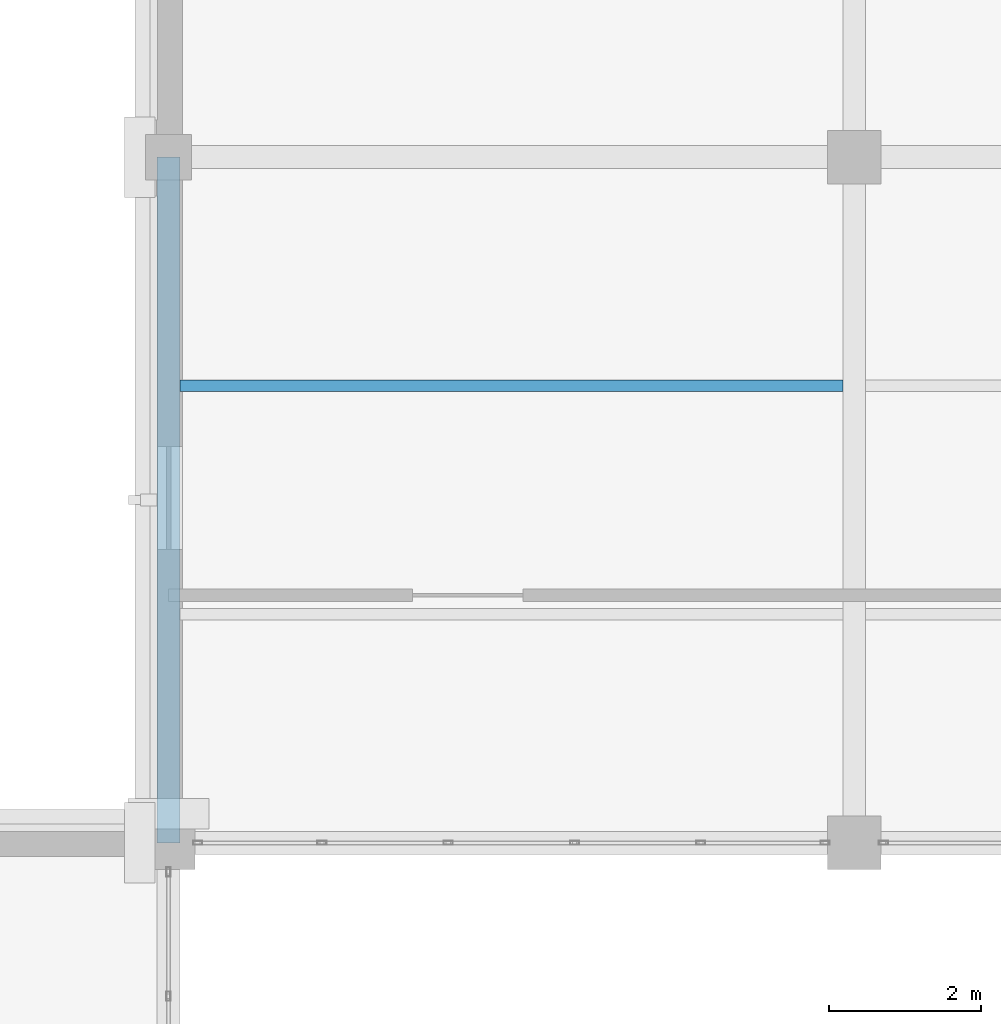
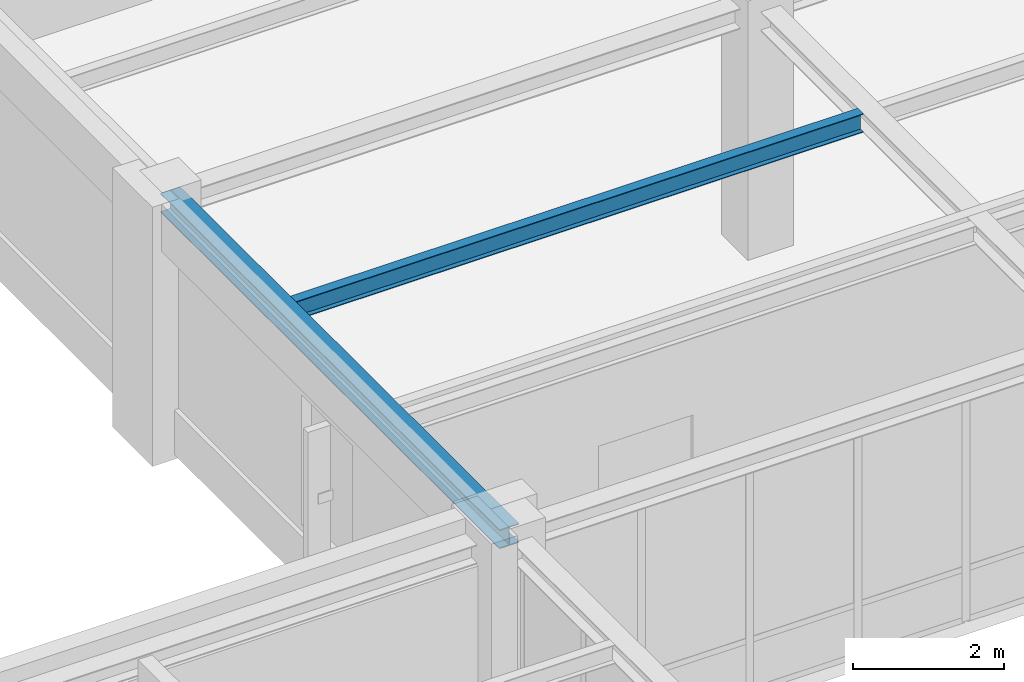
# One storey, part 67 of 108: 2 beams.
"""IFC4 building model written with IfcOpenShell, lengths in metres."""

from ifc_helpers import new_model, si_unit, direction, frame, origin, origin_2d, place, context, subcontext, project, spatial, i_section, extrude, material, material_profile, profile_set, type_object, element, save


model = new_model("IFC4")

# Units and contexts
model_context = context("Model", 3, precision=1e-05, world=origin(), true_north=direction((0.0, 1.0)))
body_context = subcontext(model_context, "Body", "Model", "MODEL_VIEW")
ifc_project = project(units=[si_unit("LENGTHUNIT", "METRE"), si_unit("AREAUNIT", "SQUARE_METRE"), si_unit("VOLUMEUNIT", "CUBIC_METRE"), si_unit("PLANEANGLEUNIT", "RADIAN"), si_unit("MASSUNIT", "GRAM", prefix="KILO")], contexts=[model_context])

# Site, building, storey
site_placement = place(None, origin())
site = spatial("IfcSite", under=ifc_project, at=site_placement, CompositionType="ELEMENT")
building_placement = place(site_placement, origin())
building = spatial("IfcBuilding", under=site, at=building_placement, Name="Lykobir Media Centre", CompositionType="ELEMENT")
storey_placement = place(building_placement, frame((0.0, 0.0, 15.0)))
storey = spatial("IfcBuildingStorey", under=building, at=storey_placement, Name="L03", CompositionType="ELEMENT", Elevation=15.0)

# Beams
ifc_material = material(Name="Steel S355", Category="steel")
ifc_material_profile_1 = material_profile(ifc_material, i_section(OverallWidth=0.300048828125, OverallDepth=0.31005859375, WebThickness=0.009033203125, FlangeThickness=0.015380859375, at=origin_2d()), Name="HEA 320")
ifc_profile_set_1 = profile_set([ifc_material_profile_1], Name="Steel S355")
beam_type_1 = type_object("IfcBeamType", Name="BM-HEA320", PredefinedType="BEAM", material=ifc_profile_set_1)
beam_1_placement = place(storey_placement, frame((99.0, 72.0, 3.804931640625), z_axis=(0.0, 1.0, 0.0), x_axis=(-1.0, 0.0, 0.0)))
element("IfcBeam", 1, at=beam_1_placement, inside=storey, type_object=beam_type_1, Name="Beam BM-L03-0990-0720-0990-0810-1880", PredefinedType="BEAM", context=body_context, shape_type="SweptSolid", body=[
    extrude(i_section(OverallWidth=0.300048828125, OverallDepth=0.31005859375, WebThickness=0.009033203125, FlangeThickness=0.015380859375, at=origin_2d()), origin(), (0.0, 0.0, 1.0), 9.0),
])
ifc_material_profile_2 = material_profile(ifc_material, i_section(OverallWidth=0.14990234375, OverallDepth=0.300048828125, WebThickness=0.007080078125, FlangeThickness=0.0107421875, at=origin_2d()), Name="IPE 300")
ifc_profile_set_2 = profile_set([ifc_material_profile_2], Name="Steel S355")
beam_type_2 = type_object("IfcBeamType", Name="JS-IPE300", PredefinedType="JOIST", material=ifc_profile_set_2)
beam_2_placement = place(storey_placement, frame((99.14990234375, 78.0, 3.81005859375), z_axis=(1.0, 0.0, 0.0), x_axis=(0.0, 1.0, 0.0)))
element("IfcBeam", 2, at=beam_2_placement, inside=storey, type_object=beam_type_2, Name="Beam BM-L03-0992-0780-1078-0780-1881", PredefinedType="JOIST", context=body_context, shape_type="SweptSolid", body=[
    extrude(i_section(OverallWidth=0.14990234375, OverallDepth=0.300048828125, WebThickness=0.007080078125, FlangeThickness=0.0107421875, at=origin_2d()), origin(), (0.0, 0.0, 1.0), 8.7001953125),
])

save(model, "model.ifc")
